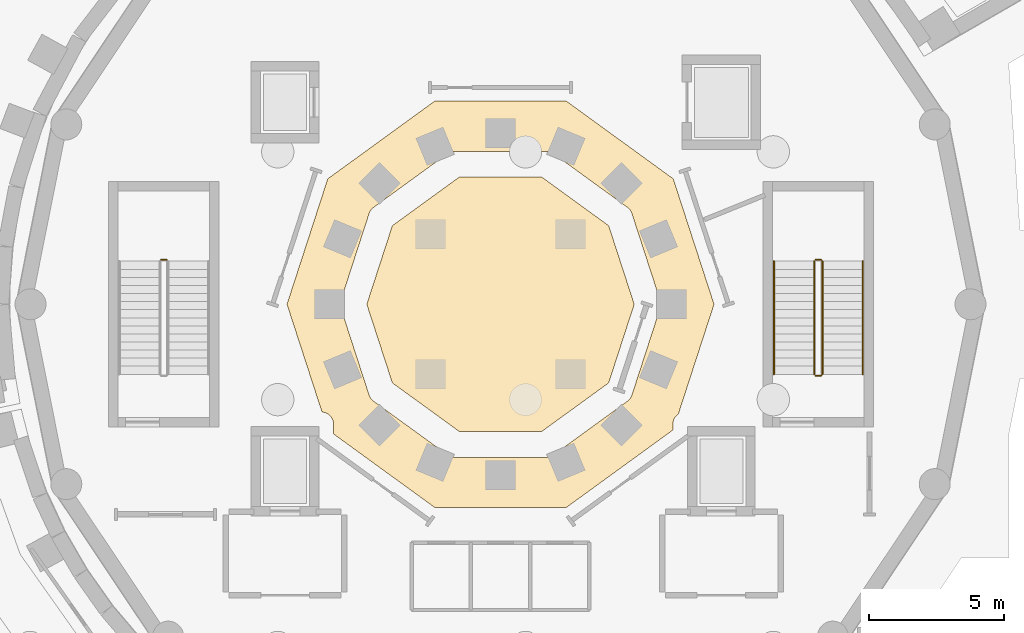
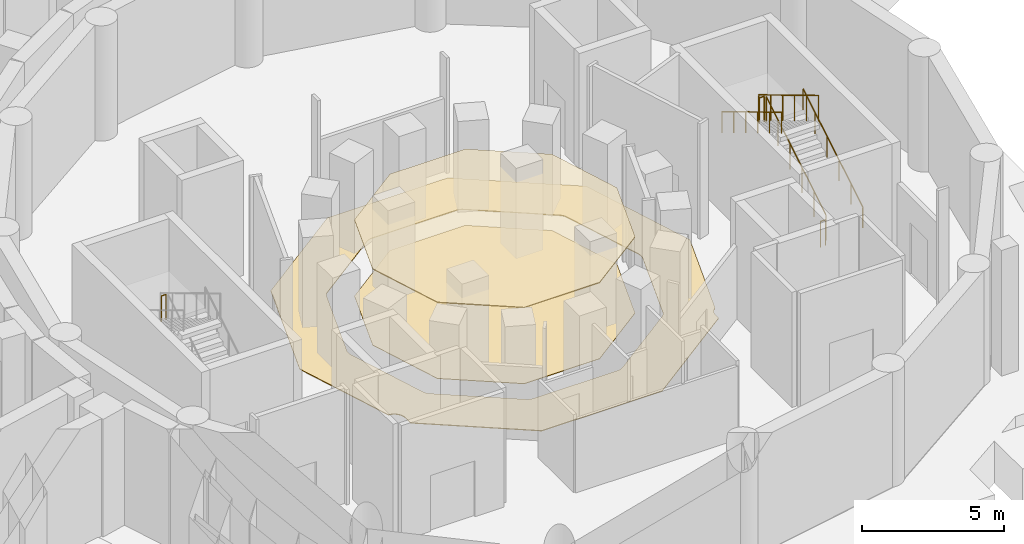
# One storey, part 22 of 33: 7 railings, 3 coverings.
"""IFC4 building model written with IfcOpenShell, lengths in metres."""

from ifc_helpers import new_model, si_unit, direction, frame, origin, origin_2d, place, context, subcontext, project, spatial, polyline, circle, outline, extrude, material, layer, layer_set, type_object, element, save


model = new_model("IFC4")

# Units and contexts
model_context = context("Model", 3, precision=1e-05, world=origin(), true_north=direction((0.0, 1.0)))
body_context = subcontext(model_context, "Body", "Model", "MODEL_VIEW")
ifc_project = project(units=[si_unit("LENGTHUNIT", "METRE"), si_unit("AREAUNIT", "SQUARE_METRE"), si_unit("VOLUMEUNIT", "CUBIC_METRE"), si_unit("PLANEANGLEUNIT", "RADIAN"), si_unit("MASSUNIT", "GRAM", prefix="KILO")], contexts=[model_context])

# Site, building, storey
site_placement = place(None, origin())
site = spatial("IfcSite", under=ifc_project, at=site_placement, CompositionType="ELEMENT")
building_placement = place(site_placement, origin())
building = spatial("IfcBuilding", under=site, at=building_placement, Name="Soyqirgoq Riverine Aquarium", CompositionType="ELEMENT")
storey_placement = place(building_placement, frame((0.0, 0.0, -5.39990234375)))
storey = spatial("IfcBuildingStorey", under=building, at=storey_placement, Name="B01", CompositionType="ELEMENT", Elevation=-5.39990234375)

# Coverings
ifc_material_1 = material(Name="Seamless slip-resistant marine epoxy flooring", Category="concrete")
ifc_layer_1 = layer(ifc_material_1, 0.02001953125)
ifc_layer_set_1 = layer_set([ifc_layer_1], Name="Seamless slip-resistant marine epoxy flooring")
covering_type_1 = type_object("IfcCoveringType", Name="EpoxyWetFloorFinish_20", PredefinedType="FLOORING", material=ifc_layer_set_1)
covering_1_placement = place(storey_placement, origin())
element("IfcCovering", 1, at=covering_1_placement, inside=storey, type_object=covering_type_1, Name="Ocean Tank Sand Filtration Plant Floor Finish", PredefinedType="FLOORING", context=body_context, shape_type="SweptSolid", body=[
    extrude(outline(polyline([(57.533935546875, 52.279052734375), (54.466064453125, 52.279052734375), (51.98388671875, 54.08203125), (51.035888671875, 57.0), (51.98388671875, 59.91796875), (54.466064453125, 61.720947265625), (57.533935546875, 61.720947265625), (60.01611328125, 59.91796875), (60.964111328125, 57.0), (60.01611328125, 54.08203125), (57.533935546875, 52.279052734375)])), origin(), (0.0, 0.0, 1.0), 0.02001953125),
])
ifc_material_2 = material(Name="Anodised aluminium marine moisture-resistant ceiling", Category="aluminium")
ifc_layer_2 = layer(ifc_material_2, 0.0400390625)
ifc_layer_set_2 = layer_set([ifc_layer_2], Name="Anodised aluminium marine moisture-resistant ceiling")
covering_type_2 = type_object("IfcCoveringType", Name="MoistureCeiling_40", PredefinedType="CEILING", material=ifc_layer_set_2)
covering_2_placement = place(storey_placement, frame((0.0, 0.0, 3.260009765625)))
element("IfcCovering", 2, at=covering_2_placement, inside=storey, type_object=covering_type_2, Name="Ocean Tank Sand Filtration Plant Suspended Ceiling", PredefinedType="CEILING", context=body_context, shape_type="SweptSolid", body=[
    extrude(outline(polyline([(57.533935546875, 52.279052734375), (54.466064453125, 52.279052734375), (51.98388671875, 54.08203125), (51.035888671875, 57.0), (51.98388671875, 59.91796875), (54.466064453125, 61.720947265625), (57.533935546875, 61.720947265625), (60.01611328125, 59.91796875), (60.964111328125, 57.0), (60.01611328125, 54.08203125), (57.533935546875, 52.279052734375)])), origin(), (0.0, 0.0, 1.0), 0.039794921875),
])

# Railings
ifc_material_3 = material(Name="Brushed stainless steel 316L tubular handrail", Category="steel")
railing_type_1 = type_object("IfcRailingType", Name="StairPitchHandrail_920", PredefinedType="HANDRAIL", material=ifc_material_3)
railing_1_placement = place(storey_placement, frame((69.449951171875, 54.39990234375, 0.179931640625)))
element("IfcRailing", 3, at=railing_1_placement, inside=storey, type_object=railing_type_1, Name="B01 ST-1 stair handrail 1", PredefinedType="HANDRAIL", context=body_context, shape_type="SweptSolid", body=[
    extrude(circle(Radius=0.02392578125, at=origin_2d()), frame((0.0, 0.0, 0.89990234375), z_axis=(0.0, 0.857501721439, 0.514481095599), x_axis=(-1.0, 0.0, 0.0)), (0.0, 0.0, 1.0), 4.898193359375),
    extrude(circle(Radius=0.02099609375, at=origin_2d()), origin(), (0.0, 0.0, 1.0), 0.875732421875),
    extrude(circle(Radius=0.02099609375, at=origin_2d()), frame((0.0, 0.840087890625, 0.50390625)), (0.0, 0.0, 1.0), 0.875732421875),
    extrude(circle(Radius=0.02099609375, at=origin_2d()), frame((0.0, 1.68017578125, 1.008056640625)), (0.0, 0.0, 1.0), 0.875732421875),
    extrude(circle(Radius=0.02099609375, at=origin_2d()), frame((0.0, 2.52001953125, 1.511962890625)), (0.0, 0.0, 1.0), 0.875732421875),
    extrude(circle(Radius=0.02099609375, at=origin_2d()), frame((0.0, 3.360107421875, 2.01611328125)), (0.0, 0.0, 1.0), 0.875732421875),
    extrude(circle(Radius=0.02099609375, at=origin_2d()), frame((0.0, 4.2001953125, 2.52001953125)), (0.0, 0.0, 1.0), 0.875732421875),
])
railing_2_placement = place(storey_placement, frame((66.14990234375, 58.60009765625, 2.8798828125)))
element("IfcRailing", 4, at=railing_2_placement, inside=storey, type_object=railing_type_1, Name="B01 ST-1 stair handrail 2", PredefinedType="HANDRAIL", context=body_context, shape_type="SweptSolid", body=[
    extrude(circle(Radius=0.02392578125, at=origin_2d()), frame((0.0, 0.0, 0.89990234375), z_axis=(0.0, -0.857501721439, 0.514481095599), x_axis=(1.0, 0.0, 0.0)), (0.0, 0.0, 1.0), 4.898193359375),
    extrude(circle(Radius=0.02099609375, at=origin_2d()), origin(), (0.0, 0.0, 1.0), 0.875732421875),
    extrude(circle(Radius=0.02099609375, at=origin_2d()), frame((0.0, -0.840087890625, 0.50390625)), (0.0, 0.0, 1.0), 0.875732421875),
    extrude(circle(Radius=0.02099609375, at=origin_2d()), frame((0.0, -1.68017578125, 1.008056640625)), (0.0, 0.0, 1.0), 0.875732421875),
    extrude(circle(Radius=0.02099609375, at=origin_2d()), frame((0.0, -2.52001953125, 1.511962890625)), (0.0, 0.0, 1.0), 0.875732421875),
    extrude(circle(Radius=0.02099609375, at=origin_2d()), frame((0.0, -3.360107421875, 2.01611328125)), (0.0, 0.0, 1.0), 0.875732421875),
    extrude(circle(Radius=0.02099609375, at=origin_2d()), frame((0.0, -4.2001953125, 2.52001953125)), (0.0, 0.0, 1.0), 0.875732421875),
])
ifc_material_4 = material(Name="Painted steel infill stair-well guardrail", Category="steel")
railing_type_2 = type_object("IfcRailingType", Name="StairWellGuard_1120", PredefinedType="GUARDRAIL", material=ifc_material_4)
railing_3_placement = place(storey_placement, frame((67.949951171875, 54.39990234375, 0.179931640625)))
element("IfcRailing", 5, at=railing_3_placement, inside=storey, type_object=railing_type_2, Name="B01 ST-1 stair guard 1", PredefinedType="GUARDRAIL", context=body_context, shape_type="SweptSolid", body=[
    extrude(circle(Radius=0.02392578125, at=origin_2d()), frame((0.0, 0.0, 1.09619140625), z_axis=(0.0, 0.857501721439, 0.514481095599), x_axis=(-1.0, 0.0, 0.0)), (0.0, 0.0, 1.0), 4.898193359375),
    extrude(circle(Radius=0.02099609375, at=origin_2d()), origin(), (0.0, 0.0, 1.0), 1.072021484375),
    extrude(circle(Radius=0.02099609375, at=origin_2d()), frame((0.0, 0.840087890625, 0.50390625)), (0.0, 0.0, 1.0), 1.072021484375),
    extrude(circle(Radius=0.02099609375, at=origin_2d()), frame((0.0, 1.68017578125, 1.008056640625)), (0.0, 0.0, 1.0), 1.072021484375),
    extrude(circle(Radius=0.02099609375, at=origin_2d()), frame((0.0, 2.52001953125, 1.511962890625)), (0.0, 0.0, 1.0), 1.072021484375),
    extrude(circle(Radius=0.02099609375, at=origin_2d()), frame((0.0, 3.360107421875, 2.01611328125)), (0.0, 0.0, 1.0), 1.072021484375),
    extrude(circle(Radius=0.02099609375, at=origin_2d()), frame((0.0, 4.2001953125, 2.52001953125)), (0.0, 0.0, 1.0), 1.072021484375),
])
railing_4_placement = place(storey_placement, frame((67.89990234375, 58.64990234375, 2.699951171875)))
element("IfcRailing", 6, at=railing_4_placement, inside=storey, type_object=railing_type_2, Name="B01 ST-1 stair guard 2", PredefinedType="GUARDRAIL", context=body_context, shape_type="SweptSolid", body=[
    extrude(circle(Radius=0.02392578125, at=origin_2d()), frame((0.0, 0.0, 1.09619140625), z_axis=(-1.0, 0.0, 0.0), x_axis=(0.0, -1.0, 0.0)), (0.0, 0.0, 1.0), 0.199951171875),
    extrude(circle(Radius=0.02099609375, at=origin_2d()), origin(), (0.0, 0.0, 1.0), 1.072021484375),
    extrude(circle(Radius=0.02099609375, at=origin_2d()), frame((-0.199951171875, 0.0, 0.0)), (0.0, 0.0, 1.0), 1.072021484375),
])
railing_5_placement = place(storey_placement, frame((67.64990234375, 58.60009765625, 2.8798828125)))
element("IfcRailing", 7, at=railing_5_placement, inside=storey, type_object=railing_type_2, Name="B01 ST-1 stair guard 3", PredefinedType="GUARDRAIL", context=body_context, shape_type="SweptSolid", body=[
    extrude(circle(Radius=0.02392578125, at=origin_2d()), frame((0.0, 0.0, 1.09619140625), z_axis=(0.0, -0.857501721439, 0.514481095599), x_axis=(1.0, 0.0, 0.0)), (0.0, 0.0, 1.0), 4.898193359375),
    extrude(circle(Radius=0.02099609375, at=origin_2d()), origin(), (0.0, 0.0, 1.0), 1.072021484375),
    extrude(circle(Radius=0.02099609375, at=origin_2d()), frame((0.0, -0.840087890625, 0.50390625)), (0.0, 0.0, 1.0), 1.072021484375),
    extrude(circle(Radius=0.02099609375, at=origin_2d()), frame((0.0, -1.68017578125, 1.008056640625)), (0.0, 0.0, 1.0), 1.072021484375),
    extrude(circle(Radius=0.02099609375, at=origin_2d()), frame((0.0, -2.52001953125, 1.511962890625)), (0.0, 0.0, 1.0), 1.072021484375),
    extrude(circle(Radius=0.02099609375, at=origin_2d()), frame((0.0, -3.360107421875, 2.01611328125)), (0.0, 0.0, 1.0), 1.072021484375),
    extrude(circle(Radius=0.02099609375, at=origin_2d()), frame((0.0, -4.2001953125, 2.52001953125)), (0.0, 0.0, 1.0), 1.072021484375),
])
railing_6_placement = place(storey_placement, frame((67.89990234375, 54.35009765625, 0.0)))
element("IfcRailing", 8, at=railing_6_placement, inside=storey, type_object=railing_type_2, Name="B01 ST-1 stair guard 4", PredefinedType="GUARDRAIL", context=body_context, shape_type="SweptSolid", body=[
    extrude(circle(Radius=0.02392578125, at=origin_2d()), frame((0.0, 0.0, 1.09619140625), z_axis=(-1.0, 0.0, 0.0), x_axis=(0.0, -1.0, 0.0)), (0.0, 0.0, 1.0), 0.199951171875),
    extrude(circle(Radius=0.02099609375, at=origin_2d()), origin(), (0.0, 0.0, 1.0), 1.072021484375),
    extrude(circle(Radius=0.02099609375, at=origin_2d()), frame((-0.199951171875, 0.0, 0.0)), (0.0, 0.0, 1.0), 1.072021484375),
])
railing_7_placement = place(storey_placement, frame((43.60009765625, 58.64990234375, 2.699951171875)))
element("IfcRailing", 9, at=railing_7_placement, inside=storey, type_object=railing_type_2, Name="B01 ST-9 stair guard 2", PredefinedType="GUARDRAIL", context=body_context, shape_type="SweptSolid", body=[
    extrude(circle(Radius=0.02392578125, at=origin_2d()), frame((0.0, 0.0, 1.09619140625), z_axis=(-1.0, 0.0, 0.0), x_axis=(0.0, -1.0, 0.0)), (0.0, 0.0, 1.0), 0.2001953125),
    extrude(circle(Radius=0.02099609375, at=origin_2d()), origin(), (0.0, 0.0, 1.0), 1.072021484375),
    extrude(circle(Radius=0.02099609375, at=origin_2d()), frame((-0.2001953125, 0.0, 0.0)), (0.0, 0.0, 1.0), 1.072021484375),
])

# Covering
ifc_material_5 = material(Name="Polished Chirchiq river-pebble terrazzo flooring", Category="concrete")
ifc_layer_3 = layer(ifc_material_5, 0.030029296875)
ifc_layer_set_3 = layer_set([ifc_layer_3], Name="Polished Chirchiq river-pebble terrazzo flooring")
covering_type_3 = type_object("IfcCoveringType", Name="TerrazzoFloorFinish_30", PredefinedType="FLOORING", material=ifc_layer_set_3)
covering_3_placement = place(storey_placement, origin())
element("IfcCovering", 10, at=covering_3_placement, inside=storey, type_object=covering_type_3, Name="Ocean Drum Circulation Corridor Floor Finish", PredefinedType="FLOORING", context=body_context, shape_type="SweptSolid", body=[
    extrude(outline(polyline([(48.072998046875, 57.0), (49.5869140625, 61.658935546875), (53.551025390625, 64.5390625), (58.448974609375, 64.5390625), (62.4130859375, 61.658935546875), (63.927001953125, 57.0), (62.60302734375, 52.926025390625), (62.60009765625, 52.924072265625), (62.56494140625, 52.89794921875), (62.531982421875, 52.867919921875), (62.501953125, 52.8349609375), (62.47607421875, 52.800048828125), (62.452880859375, 52.761962890625), (62.43408203125, 52.721923828125), (62.4189453125, 52.680908203125), (62.408935546875, 52.637939453125), (62.402099609375, 52.593994140625), (62.39990234375, 52.550048828125), (62.39990234375, 52.3310546875), (58.448974609375, 49.4609375), (53.551025390625, 49.4609375), (49.800048828125, 52.18603515625), (49.800048828125, 52.550048828125), (49.798095703125, 52.593994140625), (49.791015625, 52.637939453125), (49.781005859375, 52.680908203125), (49.76611328125, 52.721923828125), (49.7470703125, 52.761962890625), (49.72412109375, 52.800048828125), (49.697998046875, 52.8349609375), (49.66796875, 52.867919921875), (49.635009765625, 52.89794921875), (49.60009765625, 52.924072265625), (49.56201171875, 52.947021484375), (49.52197265625, 52.966064453125), (49.48095703125, 52.98095703125), (49.43798828125, 52.990966796875), (49.39404296875, 52.998046875), (49.373046875, 52.9990234375), (48.072998046875, 57.0)]), holes=[polyline([(60.714111328125, 60.596923828125), (60.7509765625, 60.56689453125), (60.783935546875, 60.533935546875), (60.81396484375, 60.4970703125), (60.839111328125, 60.4580078125), (60.861083984375, 60.416015625), (60.8779296875, 60.3720703125), (61.927978515625, 57.138916015625), (61.93994140625, 57.093994140625), (61.947998046875, 57.047119140625), (61.949951171875, 57.0), (61.947998046875, 56.952880859375), (61.93994140625, 56.906005859375), (61.927978515625, 56.861083984375), (60.8779296875, 53.6279296875), (60.861083984375, 53.583984375), (60.839111328125, 53.5419921875), (60.81396484375, 53.5029296875), (60.783935546875, 53.466064453125), (60.7509765625, 53.43310546875), (60.714111328125, 53.403076171875), (57.964111328125, 51.405029296875), (57.925048828125, 51.37890625), (57.883056640625, 51.35791015625), (57.839111328125, 51.341064453125), (57.79296875, 51.3291015625), (57.7470703125, 51.322021484375), (57.699951171875, 51.319091796875), (54.300048828125, 51.319091796875), (54.2529296875, 51.322021484375), (54.20703125, 51.3291015625), (54.160888671875, 51.341064453125), (54.116943359375, 51.35791015625), (54.074951171875, 51.37890625), (54.035888671875, 51.405029296875), (51.285888671875, 53.403076171875), (51.2490234375, 53.43310546875), (51.216064453125, 53.466064453125), (51.18603515625, 53.5029296875), (51.160888671875, 53.5419921875), (51.138916015625, 53.583984375), (51.1220703125, 53.6279296875), (50.072021484375, 56.861083984375), (50.06005859375, 56.906005859375), (50.052001953125, 56.952880859375), (50.050048828125, 57.0), (50.052001953125, 57.047119140625), (50.06005859375, 57.093994140625), (50.072021484375, 57.138916015625), (51.1220703125, 60.3720703125), (51.138916015625, 60.416015625), (51.160888671875, 60.4580078125), (51.18603515625, 60.4970703125), (51.216064453125, 60.533935546875), (51.2490234375, 60.56689453125), (51.285888671875, 60.596923828125), (54.035888671875, 62.594970703125), (54.074951171875, 62.62109375), (54.116943359375, 62.64208984375), (54.160888671875, 62.658935546875), (54.20703125, 62.6708984375), (54.2529296875, 62.677978515625), (54.300048828125, 62.680908203125), (57.699951171875, 62.680908203125), (57.7470703125, 62.677978515625), (57.79296875, 62.6708984375), (57.839111328125, 62.658935546875), (57.883056640625, 62.64208984375), (57.925048828125, 62.62109375), (57.964111328125, 62.594970703125), (60.714111328125, 60.596923828125)])]), origin(), (0.0, 0.0, 1.0), 0.02978515625),
])

save(model, "model.ifc")
